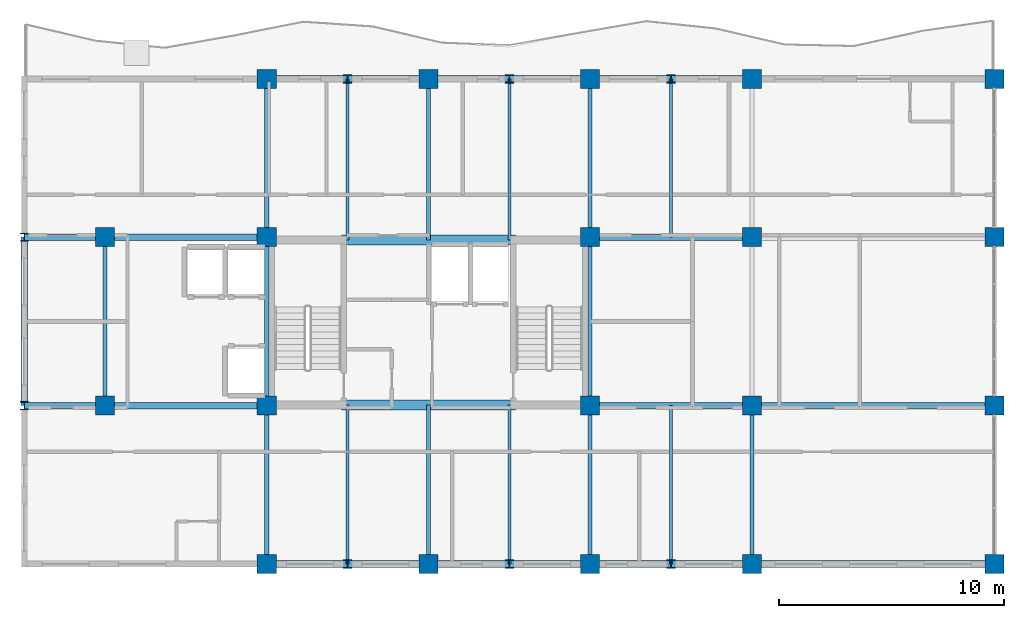
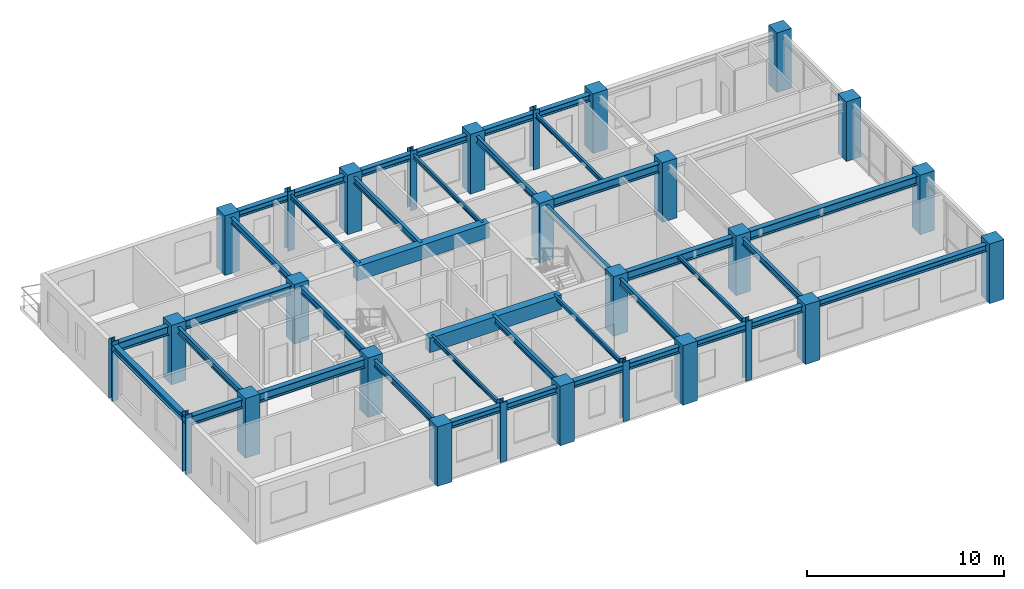
# One storey, part 1 of 11: 39 beams, 28 columns.
"""IFC4 building model written with IfcOpenShell, lengths in metres."""

from ifc_helpers import new_model, si_unit, direction, frame, origin, origin_2d, place, context, subcontext, project, spatial, rectangle, i_section, extrude, source, transform, mapped, material, material_profile, profile_set, type_object, element, save


model = new_model("IFC4")

# Units and contexts
model_context = context("Model", 3, precision=1e-05, world=origin(), true_north=direction((0.0, 1.0)))
body_context = subcontext(model_context, "Body", "Model", "MODEL_VIEW")
ifc_project = project(units=[si_unit("LENGTHUNIT", "METRE"), si_unit("AREAUNIT", "SQUARE_METRE"), si_unit("VOLUMEUNIT", "CUBIC_METRE"), si_unit("PLANEANGLEUNIT", "RADIAN"), si_unit("MASSUNIT", "GRAM", prefix="KILO")], contexts=[model_context])

# Site, building, storey
site_placement = place(None, origin())
site = spatial("IfcSite", under=ifc_project, at=site_placement, CompositionType="ELEMENT")
building_placement = place(site_placement, origin())
building = spatial("IfcBuilding", under=site, at=building_placement, Name="Kaliganga Portal Commons", CompositionType="ELEMENT")
storey_placement = place(building_placement, frame((0.0, 0.0, 253.60009765625)))
storey = spatial("IfcBuildingStorey", under=building, at=storey_placement, Name="L65", CompositionType="ELEMENT", Elevation=253.60009765625)

# Columns
ifc_material_1 = material(Name="Concrete C50/60", Category="concrete")
ifc_material_profile_1 = material_profile(ifc_material_1, rectangle(XDim=0.85009765625, YDim=0.85009765625, at=origin_2d()), Name="RC 850x850")
ifc_profile_set_1 = profile_set([ifc_material_profile_1], Name="Concrete C50/60")
column_type_1 = type_object("IfcColumnType", Name="COL-MEGA-Z5", PredefinedType="COLUMN", material=ifc_profile_set_1)
shared_shape_1 = source(origin(), body_context, "Body", "SweptSolid", [
    extrude(rectangle(XDim=0.85009765625, YDim=0.85009765625, at=origin_2d()), origin(), (0.0, 0.0, 1.0), 3.699951171875),
])
for number, where, z_axis, x_axis, name in (
    (1, (7.199951171875, 28.64990234375, 0.0), (0.0, 0.0, 1.0), (1.0, 0.0, 0.0), "Column MC-06 L65"),
    (2, (7.199951171875, 36.14990234375, 0.0), (0.0, 0.0, 1.0), (1.0, 0.0, 0.0), "Column MC-06 L65"),
    (3, (14.39990234375, 21.60009765625, 0.0), (0.0, 0.0, 1.0), (1.0, 0.0, 0.0), "Column MC-06 L65"),
    (4, (14.39990234375, 28.64990234375, 0.0), (0.0, 0.0, 1.0), (1.0, 0.0, 0.0), "Column MC-06 L65"),
    (5, (14.39990234375, 36.14990234375, 0.0), (0.0, 0.0, 1.0), (1.0, 0.0, 0.0), "Column MC-06 L65"),
    (6, (14.39990234375, 43.199951171875, 0.0), (0.0, 0.0, 1.0), (1.0, 0.0, 0.0), "Column MC-06 L65"),
    (7, (21.60009765625, 21.60009765625, 0.0), (0.0, 0.0, 1.0), (1.0, 0.0, 0.0), "Column MC-06 L65"),
    (8, (21.60009765625, 43.199951171875, 0.0), (0.0, 0.0, 1.0), (1.0, 0.0, 0.0), "Column MC-06 L65"),
    (9, (28.800048828125, 21.60009765625, 0.0), (0.0, 0.0, 1.0), (1.0, 0.0, 0.0), "Column MC-06 L65"),
    (10, (28.800048828125, 28.64990234375, 0.0), (0.0, 0.0, 1.0), (1.0, 0.0, 0.0), "Column MC-06 L65"),
    (11, (28.800048828125, 36.14990234375, 0.0), (0.0, 0.0, 1.0), (1.0, 0.0, 0.0), "Column MC-06 L65"),
    (12, (28.800048828125, 43.199951171875, 0.0), (0.0, 0.0, 1.0), (1.0, 0.0, 0.0), "Column MC-06 L65"),
    (13, (36.0, 21.60009765625, 0.0), (0.0, 0.0, 1.0), (1.0, 0.0, 0.0), "Column MC-06 L65"),
    (14, (36.0, 43.199951171875, 0.0), (0.0, 0.0, 1.0), (1.0, 0.0, 0.0), "Column MC-06 L65"),
    (15, (36.0, 28.64990234375, 0.0), (0.0, 0.0, 1.0), (1.0, 0.0, 0.0), "Column MC-06 L65"),
    (16, (36.0, 36.14990234375, 0.0), (0.0, 0.0, 1.0), (1.0, 0.0, 0.0), "Column MC-06 L65"),
    (17, (46.800048828125, 21.60009765625, 0.0), (0.0, 0.0, 1.0), (1.0, 0.0, 0.0), "Column MC-06 L65"),
    (18, (46.800048828125, 28.64990234375, 0.0), (0.0, 0.0, 1.0), (1.0, 0.0, 0.0), "Column MC-06 L65"),
    (19, (46.800048828125, 36.14990234375, 0.0), (0.0, 0.0, 1.0), (1.0, 0.0, 0.0), "Column MC-06 L65"),
    (20, (46.800048828125, 43.199951171875, 0.0), (0.0, 0.0, 1.0), (1.0, 0.0, 0.0), "Column MC-06 L65"),
):
    element("IfcColumn", number, at=place(storey_placement, frame(where, z_axis=z_axis, x_axis=x_axis)), inside=storey, type_object=column_type_1, Name=name, PredefinedType="COLUMN", context=body_context, shape_type="MappedRepresentation", body=[
        mapped(shared_shape_1, transform((0.0, 0.0, 0.0), x_axis=(1.0, 0.0, 0.0), y_axis=(0.0, 1.0, 0.0), z_axis=(0.0, 0.0, 1.0), scale=1.0)),
    ])
ifc_material_2 = material(Name="Structural steel S355J2", Category="steel")
ifc_material_profile_2 = material_profile(ifc_material_2, i_section(OverallWidth=0.3740234375, OverallDepth=0.3720703125, WebThickness=0.014892578125, FlangeThickness=0.02587890625, FilletRadius=0.014892578125, at=origin_2d()), Name="HD 360x196")
ifc_profile_set_2 = profile_set([ifc_material_profile_2], Name="Structural steel S355J2 wide-flange")
column_type_2 = type_object("IfcColumnType", Name="COL-TUBE-B5", PredefinedType="COLUMN", material=ifc_profile_set_2)
shared_shape_2 = source(origin(), body_context, "Body", "SweptSolid", [
    extrude(i_section(OverallWidth=0.3740234375, OverallDepth=0.3720703125, WebThickness=0.014892578125, FlangeThickness=0.02587890625, FilletRadius=0.014892578125, at=origin_2d()), origin(), (0.0, 0.0, 1.0), 3.699951171875),
])
for number, where, z_axis, x_axis, name in (
    (21, (3.60009765625, 28.64990234375, 0.0), (0.0, 0.0, 1.0), (1.0, 0.0, 0.0), "Column TC-05 L65"),
    (22, (3.60009765625, 36.14990234375, 0.0), (0.0, 0.0, 1.0), (1.0, 0.0, 0.0), "Column TC-05 L65"),
    (23, (18.0, 21.60009765625, 0.0), (0.0, 0.0, 1.0), (1.0, 0.0, 0.0), "Column TC-05 L65"),
    (24, (18.0, 43.199951171875, 0.0), (0.0, 0.0, 1.0), (1.0, 0.0, 0.0), "Column TC-05 L65"),
    (25, (25.199951171875, 21.60009765625, 0.0), (0.0, 0.0, 1.0), (1.0, 0.0, 0.0), "Column TC-05 L65"),
    (26, (25.199951171875, 43.199951171875, 0.0), (0.0, 0.0, 1.0), (1.0, 0.0, 0.0), "Column TC-05 L65"),
    (27, (32.39990234375, 21.60009765625, 0.0), (0.0, 0.0, 1.0), (1.0, 0.0, 0.0), "Column TC-05 L65"),
    (28, (32.39990234375, 43.199951171875, 0.0), (0.0, 0.0, 1.0), (1.0, 0.0, 0.0), "Column TC-05 L65"),
):
    element("IfcColumn", number, at=place(storey_placement, frame(where, z_axis=z_axis, x_axis=x_axis)), inside=storey, type_object=column_type_2, Name=name, PredefinedType="COLUMN", context=body_context, shape_type="MappedRepresentation", body=[
        mapped(shared_shape_2, transform((0.0, 0.0, 0.0), x_axis=(1.0, 0.0, 0.0), y_axis=(0.0, 1.0, 0.0), z_axis=(0.0, 0.0, 1.0), scale=1.0)),
    ])

# Beams
ifc_material_profile_3 = material_profile(ifc_material_1, rectangle(XDim=0.449951171875, YDim=0.89990234375, at=origin_2d()), Name="RC 450x900")
ifc_profile_set_3 = profile_set([ifc_material_profile_3], Name="Concrete C50/60")
beam_type_1 = type_object("IfcBeamType", Name="BM-CPL-900", PredefinedType="LINTEL", material=ifc_profile_set_3)
shared_shape_3 = source(origin(), body_context, "Body", "SweptSolid", [
    extrude(rectangle(XDim=0.449951171875, YDim=0.89990234375, at=origin_2d()), origin(), (0.0, 0.0, 1.0), 7.739990234375),
])
for number, where, z_axis, x_axis, name in (
    (29, (17.72998046875, 28.675048828125, 3.02490234375), (1.0, 0.0, 0.0), (0.0, 1.0, 0.0), "BM CPL COREA L65 S"),
    (30, (17.72998046875, 36.02490234375, 3.02490234375), (1.0, 0.0, 0.0), (0.0, 1.0, 0.0), "BM CPL COREA L65 N"),
):
    element("IfcBeam", number, at=place(storey_placement, frame(where, z_axis=z_axis, x_axis=x_axis)), inside=storey, type_object=beam_type_1, Name=name, PredefinedType="LINTEL", context=body_context, shape_type="MappedRepresentation", body=[
        mapped(shared_shape_3, transform((0.0, 0.0, 0.0), x_axis=(1.0, 0.0, 0.0), y_axis=(0.0, 1.0, 0.0), z_axis=(0.0, 0.0, 1.0), scale=1.0)),
    ])
ifc_material_profile_4 = material_profile(ifc_material_2, i_section(OverallWidth=0.300048828125, OverallDepth=0.39990234375, WebThickness=0.013427734375, FlangeThickness=0.02392578125, FilletRadius=0.027099609375, at=origin_2d()), Name="HE 400 B")
ifc_profile_set_4 = profile_set([ifc_material_profile_4], Name="Structural steel S355J2 wide-flange")
beam_type_2 = type_object("IfcBeamType", Name="BM-SPAND-400", PredefinedType="SPANDREL", material=ifc_profile_set_4)
shared_shape_4 = source(origin(), body_context, "Body", "SweptSolid", [
    extrude(i_section(OverallWidth=0.300048828125, OverallDepth=0.39990234375, WebThickness=0.013427734375, FlangeThickness=0.02392578125, FilletRadius=0.027099609375, at=origin_2d()), origin(), (0.0, 0.0, 1.0), 3.60009765625),
])
for number, where, z_axis, x_axis, name in (
    (31, (14.39990234375, 43.199951171875, 3.27490234375), (1.0, 0.0, 0.0), (0.0, 1.0, 0.0), "BM SP L65 AN 1"),
    (32, (18.0, 43.199951171875, 3.27490234375), (1.0, 0.0, 0.0), (0.0, 1.0, 0.0), "BM SP L65 AN 2"),
    (33, (25.199951171875, 43.199951171875, 3.27490234375), (1.0, 0.0, 0.0), (0.0, 1.0, 0.0), "BM SP L65 AN 4"),
    (34, (32.39990234375, 43.199951171875, 3.27490234375), (1.0, 0.0, 0.0), (0.0, 1.0, 0.0), "BM SP L65 AN 6"),
    (35, (14.39990234375, 21.60009765625, 3.27490234375), (1.0, 0.0, 0.0), (0.0, 1.0, 0.0), "BM SP L65 AS 1"),
    (36, (18.0, 21.60009765625, 3.27490234375), (1.0, 0.0, 0.0), (0.0, 1.0, 0.0), "BM SP L65 AS 2"),
    (37, (25.199951171875, 21.60009765625, 3.27490234375), (1.0, 0.0, 0.0), (0.0, 1.0, 0.0), "BM SP L65 AS 4"),
    (38, (32.39990234375, 21.60009765625, 3.27490234375), (1.0, 0.0, 0.0), (0.0, 1.0, 0.0), "BM SP L65 AS 6"),
):
    element("IfcBeam", number, at=place(storey_placement, frame(where, z_axis=z_axis, x_axis=x_axis)), inside=storey, type_object=beam_type_2, Name=name, PredefinedType="SPANDREL", context=body_context, shape_type="MappedRepresentation", body=[
        mapped(shared_shape_4, transform((0.0, 0.0, 0.0), x_axis=(1.0, 0.0, 0.0), y_axis=(0.0, 1.0, 0.0), z_axis=(0.0, 0.0, 1.0), scale=1.0)),
    ])
shared_shape_5 = source(origin(), body_context, "Body", "SweptSolid", [
    extrude(i_section(OverallWidth=0.300048828125, OverallDepth=0.39990234375, WebThickness=0.013427734375, FlangeThickness=0.02392578125, FilletRadius=0.027099609375, at=origin_2d()), origin(), (0.0, 0.0, 1.0), 3.599853515625),
])
for number, where, z_axis, x_axis, name in (
    (39, (21.60009765625, 43.199951171875, 3.27490234375), (1.0, 0.0, 0.0), (0.0, 1.0, 0.0), "BM SP L65 AN 3"),
    (40, (28.800048828125, 43.199951171875, 3.27490234375), (1.0, 0.0, 0.0), (0.0, 1.0, 0.0), "BM SP L65 AN 5"),
    (41, (21.60009765625, 21.60009765625, 3.27490234375), (1.0, 0.0, 0.0), (0.0, 1.0, 0.0), "BM SP L65 AS 3"),
    (42, (28.800048828125, 21.60009765625, 3.27490234375), (1.0, 0.0, 0.0), (0.0, 1.0, 0.0), "BM SP L65 AS 5"),
):
    element("IfcBeam", number, at=place(storey_placement, frame(where, z_axis=z_axis, x_axis=x_axis)), inside=storey, type_object=beam_type_2, Name=name, PredefinedType="SPANDREL", context=body_context, shape_type="MappedRepresentation", body=[
        mapped(shared_shape_5, transform((0.0, 0.0, 0.0), x_axis=(1.0, 0.0, 0.0), y_axis=(0.0, 1.0, 0.0), z_axis=(0.0, 0.0, 1.0), scale=1.0)),
    ])
shared_shape_6 = source(origin(), body_context, "Body", "SweptSolid", [
    extrude(i_section(OverallWidth=0.300048828125, OverallDepth=0.39990234375, WebThickness=0.013427734375, FlangeThickness=0.02392578125, FilletRadius=0.027099609375, at=origin_2d()), origin(), (0.0, 0.0, 1.0), 10.800048828125),
])
beam_1_placement = place(storey_placement, frame((36.0, 21.60009765625, 3.27490234375), z_axis=(1.0, 0.0, 0.0), x_axis=(0.0, 1.0, 0.0)))
element("IfcBeam", 43, at=beam_1_placement, inside=storey, type_object=beam_type_2, Name="BM SP L65 AS 7", PredefinedType="SPANDREL", context=body_context, shape_type="MappedRepresentation", body=[
    mapped(shared_shape_6, transform((0.0, 0.0, 0.0), x_axis=(1.0, 0.0, 0.0), y_axis=(0.0, 1.0, 0.0), z_axis=(0.0, 0.0, 1.0), scale=1.0)),
])
ifc_material_profile_5 = material_profile(ifc_material_2, i_section(OverallWidth=0.300048828125, OverallDepth=0.550048828125, WebThickness=0.014892578125, FlangeThickness=0.029052734375, FilletRadius=0.027099609375, at=origin_2d()), Name="HE 550 B")
ifc_profile_set_5 = profile_set([ifc_material_profile_5], Name="Structural steel S355J2 wide-flange")
beam_type_3 = type_object("IfcBeamType", Name="BM-GIRD-550", PredefinedType="USERDEFINED", material=ifc_profile_set_5)
shared_shape_7 = source(origin(), body_context, "Body", "SweptSolid", [
    extrude(i_section(OverallWidth=0.300048828125, OverallDepth=0.550048828125, WebThickness=0.014892578125, FlangeThickness=0.029052734375, FilletRadius=0.027099609375, at=origin_2d()), origin(), (0.0, 0.0, 1.0), 7.199951171875),
])
for number, where, z_axis, x_axis, name in (
    (44, (7.199951171875, 28.64990234375, 3.199951171875), (1.0, 0.0, 0.0), (0.0, 1.0, 0.0), "BM G L65 WAH_S 2"),
    (45, (7.199951171875, 36.14990234375, 3.199951171875), (1.0, 0.0, 0.0), (0.0, 1.0, 0.0), "BM G L65 WAH_N 2"),
    (46, (28.800048828125, 28.64990234375, 3.199951171875), (1.0, 0.0, 0.0), (0.0, 1.0, 0.0), "BM G L65 WAE_S 1"),
    (47, (28.800048828125, 36.14990234375, 3.199951171875), (1.0, 0.0, 0.0), (0.0, 1.0, 0.0), "BM G L65 WAE_N 1"),
):
    element("IfcBeam", number, at=place(storey_placement, frame(where, z_axis=z_axis, x_axis=x_axis)), inside=storey, type_object=beam_type_3, Name=name, ObjectType="GIRDER", PredefinedType="USERDEFINED", context=body_context, shape_type="MappedRepresentation", body=[
        mapped(shared_shape_7, transform((0.0, 0.0, 0.0), x_axis=(1.0, 0.0, 0.0), y_axis=(0.0, 1.0, 0.0), z_axis=(0.0, 0.0, 1.0), scale=1.0)),
    ])
shared_shape_8 = source(origin(), body_context, "Body", "SweptSolid", [
    extrude(i_section(OverallWidth=0.300048828125, OverallDepth=0.550048828125, WebThickness=0.014892578125, FlangeThickness=0.029052734375, FilletRadius=0.027099609375, at=origin_2d()), origin(), (0.0, 0.0, 1.0), 10.800048828125),
])
beam_2_placement = place(storey_placement, frame((36.0, 28.64990234375, 3.199951171875), z_axis=(1.0, 0.0, 0.0), x_axis=(0.0, 1.0, 0.0)))
element("IfcBeam", 48, at=beam_2_placement, inside=storey, type_object=beam_type_3, Name="BM G L65 WAE_S 2", ObjectType="GIRDER", PredefinedType="USERDEFINED", context=body_context, shape_type="MappedRepresentation", body=[
    mapped(shared_shape_8, transform((0.0, 0.0, 0.0), x_axis=(1.0, 0.0, 0.0), y_axis=(0.0, 1.0, 0.0), z_axis=(0.0, 0.0, 1.0), scale=1.0)),
])
shared_shape_9 = source(origin(), body_context, "Body", "SweptSolid", [
    extrude(i_section(OverallWidth=0.300048828125, OverallDepth=0.550048828125, WebThickness=0.014892578125, FlangeThickness=0.029052734375, FilletRadius=0.027099609375, at=origin_2d()), origin(), (0.0, 0.0, 1.0), 3.599853515625),
])
for number, where, z_axis, x_axis, name in (
    (49, (3.60009765625, 28.64990234375, 3.199951171875), (1.0, 0.0, 0.0), (0.0, 1.0, 0.0), "BM G L65 WAH_S 1"),
    (50, (3.60009765625, 36.14990234375, 3.199951171875), (1.0, 0.0, 0.0), (0.0, 1.0, 0.0), "BM G L65 WAH_N 1"),
):
    element("IfcBeam", number, at=place(storey_placement, frame(where, z_axis=z_axis, x_axis=x_axis)), inside=storey, type_object=beam_type_3, Name=name, ObjectType="GIRDER", PredefinedType="USERDEFINED", context=body_context, shape_type="MappedRepresentation", body=[
        mapped(shared_shape_9, transform((0.0, 0.0, 0.0), x_axis=(1.0, 0.0, 0.0), y_axis=(0.0, 1.0, 0.0), z_axis=(0.0, 0.0, 1.0), scale=1.0)),
    ])
shared_shape_10 = source(origin(), body_context, "Body", "SweptSolid", [
    extrude(i_section(OverallWidth=0.300048828125, OverallDepth=0.39990234375, WebThickness=0.013427734375, FlangeThickness=0.02392578125, FilletRadius=0.027099609375, at=origin_2d()), origin(), (0.0, 0.0, 1.0), 7.5),
])
beam_3_placement = place(storey_placement, frame((3.60009765625, 28.64990234375, 3.27490234375), z_axis=(0.0, 1.0, 0.0), x_axis=(-1.0, 0.0, 0.0)))
element("IfcBeam", 51, at=beam_3_placement, inside=storey, type_object=beam_type_2, Name="BM SP L65 AW", PredefinedType="SPANDREL", context=body_context, shape_type="MappedRepresentation", body=[
    mapped(shared_shape_10, transform((0.0, 0.0, 0.0), x_axis=(1.0, 0.0, 0.0), y_axis=(0.0, 1.0, 0.0), z_axis=(0.0, 0.0, 1.0), scale=1.0)),
])
ifc_material_profile_6 = material_profile(ifc_material_2, i_section(OverallWidth=0.135009765625, OverallDepth=0.27001953125, WebThickness=0.006591796875, FlangeThickness=0.01025390625, FilletRadius=0.014892578125, at=origin_2d()), Name="IPE 270")
ifc_profile_set_6 = profile_set([ifc_material_profile_6], Name="Structural steel S355J2 wide-flange")
beam_type_4 = type_object("IfcBeamType", Name="BM-JST-270", PredefinedType="JOIST", material=ifc_profile_set_6)
shared_shape_11 = source(origin(), body_context, "Body", "SweptSolid", [
    extrude(i_section(OverallWidth=0.135009765625, OverallDepth=0.27001953125, WebThickness=0.006591796875, FlangeThickness=0.01025390625, FilletRadius=0.014892578125, at=origin_2d()), origin(), (0.0, 0.0, 1.0), 7.175048828125),
])
for number, where, z_axis, x_axis, name in (
    (52, (18.0, 36.02490234375, 3.33984375), (0.0, 1.0, 0.0), (-1.0, 0.0, 0.0), "BM G L65 AN180"),
    (53, (25.199951171875, 36.02490234375, 3.33984375), (0.0, 1.0, 0.0), (-1.0, 0.0, 0.0), "BM G L65 AN252"),
):
    element("IfcBeam", number, at=place(storey_placement, frame(where, z_axis=z_axis, x_axis=x_axis)), inside=storey, type_object=beam_type_4, Name=name, PredefinedType="JOIST", context=body_context, shape_type="MappedRepresentation", body=[
        mapped(shared_shape_11, transform((0.0, 0.0, 0.0), x_axis=(1.0, 0.0, 0.0), y_axis=(0.0, 1.0, 0.0), z_axis=(0.0, 0.0, 1.0), scale=1.0)),
    ])
shared_shape_12 = source(origin(), body_context, "Body", "SweptSolid", [
    extrude(i_section(OverallWidth=0.135009765625, OverallDepth=0.27001953125, WebThickness=0.006591796875, FlangeThickness=0.01025390625, FilletRadius=0.014892578125, at=origin_2d()), origin(), (0.0, 0.0, 1.0), 7.074951171875),
])
for number, where, z_axis, x_axis, name in (
    (54, (18.0, 21.60009765625, 3.33984375), (0.0, 1.0, 0.0), (-1.0, 0.0, 0.0), "BM G L65 AS180"),
    (55, (25.199951171875, 21.60009765625, 3.33984375), (0.0, 1.0, 0.0), (-1.0, 0.0, 0.0), "BM G L65 AS252"),
):
    element("IfcBeam", number, at=place(storey_placement, frame(where, z_axis=z_axis, x_axis=x_axis)), inside=storey, type_object=beam_type_4, Name=name, PredefinedType="JOIST", context=body_context, shape_type="MappedRepresentation", body=[
        mapped(shared_shape_12, transform((0.0, 0.0, 0.0), x_axis=(1.0, 0.0, 0.0), y_axis=(0.0, 1.0, 0.0), z_axis=(0.0, 0.0, 1.0), scale=1.0)),
    ])
shared_shape_13 = source(origin(), body_context, "Body", "SweptSolid", [
    extrude(i_section(OverallWidth=0.135009765625, OverallDepth=0.27001953125, WebThickness=0.006591796875, FlangeThickness=0.01025390625, FilletRadius=0.014892578125, at=origin_2d()), origin(), (0.0, 0.0, 1.0), 7.050048828125),
])
beam_4_placement = place(storey_placement, frame((32.39990234375, 36.14990234375, 3.33984375), z_axis=(0.0, 1.0, 0.0), x_axis=(-1.0, 0.0, 0.0)))
element("IfcBeam", 56, at=beam_4_placement, inside=storey, type_object=beam_type_4, Name="BM G L65 AN324", PredefinedType="JOIST", context=body_context, shape_type="MappedRepresentation", body=[
    mapped(shared_shape_13, transform((0.0, 0.0, 0.0), x_axis=(1.0, 0.0, 0.0), y_axis=(0.0, 1.0, 0.0), z_axis=(0.0, 0.0, 1.0), scale=1.0)),
])
shared_shape_14 = source(origin(), body_context, "Body", "SweptSolid", [
    extrude(i_section(OverallWidth=0.135009765625, OverallDepth=0.27001953125, WebThickness=0.006591796875, FlangeThickness=0.01025390625, FilletRadius=0.014892578125, at=origin_2d()), origin(), (0.0, 0.0, 1.0), 7.0498046875),
])
beam_5_placement = place(storey_placement, frame((32.39990234375, 21.60009765625, 3.33984375), z_axis=(0.0, 1.0, 0.0), x_axis=(-1.0, 0.0, 0.0)))
element("IfcBeam", 57, at=beam_5_placement, inside=storey, type_object=beam_type_4, Name="BM G L65 AS324", PredefinedType="JOIST", context=body_context, shape_type="MappedRepresentation", body=[
    mapped(shared_shape_14, transform((0.0, 0.0, 0.0), x_axis=(1.0, 0.0, 0.0), y_axis=(0.0, 1.0, 0.0), z_axis=(0.0, 0.0, 1.0), scale=1.0)),
])
ifc_material_profile_7 = material_profile(ifc_material_2, i_section(OverallWidth=0.179931640625, OverallDepth=0.39990234375, WebThickness=0.008544921875, FlangeThickness=0.013427734375, FilletRadius=0.02099609375, at=origin_2d()), Name="IPE 400")
ifc_profile_set_7 = profile_set([ifc_material_profile_7], Name="Structural steel S355J2 wide-flange")
beam_type_5 = type_object("IfcBeamType", Name="BM-FLR-400", PredefinedType="BEAM", material=ifc_profile_set_7)
shared_shape_15 = source(origin(), body_context, "Body", "SweptSolid", [
    extrude(i_section(OverallWidth=0.179931640625, OverallDepth=0.39990234375, WebThickness=0.008544921875, FlangeThickness=0.013427734375, FilletRadius=0.02099609375, at=origin_2d()), origin(), (0.0, 0.0, 1.0), 7.5),
])
for number, where, z_axis, x_axis, name in (
    (58, (7.199951171875, 28.64990234375, 3.27490234375), (0.0, 1.0, 0.0), (-1.0, 0.0, 0.0), "BM G L65 AW72"),
    (59, (14.39990234375, 28.64990234375, 3.27490234375), (0.0, 1.0, 0.0), (-1.0, 0.0, 0.0), "BM G L65 AM144"),
    (60, (28.800048828125, 28.64990234375, 3.27490234375), (0.0, 1.0, 0.0), (-1.0, 0.0, 0.0), "BM G L65 AM288"),
):
    element("IfcBeam", number, at=place(storey_placement, frame(where, z_axis=z_axis, x_axis=x_axis)), inside=storey, type_object=beam_type_5, Name=name, PredefinedType="BEAM", context=body_context, shape_type="MappedRepresentation", body=[
        mapped(shared_shape_15, transform((0.0, 0.0, 0.0), x_axis=(1.0, 0.0, 0.0), y_axis=(0.0, 1.0, 0.0), z_axis=(0.0, 0.0, 1.0), scale=1.0)),
    ])
shared_shape_16 = source(origin(), body_context, "Body", "SweptSolid", [
    extrude(i_section(OverallWidth=0.179931640625, OverallDepth=0.39990234375, WebThickness=0.008544921875, FlangeThickness=0.013427734375, FilletRadius=0.02099609375, at=origin_2d()), origin(), (0.0, 0.0, 1.0), 7.050048828125),
])
for number, where, z_axis, x_axis, name in (
    (61, (14.39990234375, 36.14990234375, 3.27490234375), (0.0, 1.0, 0.0), (-1.0, 0.0, 0.0), "BM G L65 AN144"),
    (62, (28.800048828125, 36.14990234375, 3.27490234375), (0.0, 1.0, 0.0), (-1.0, 0.0, 0.0), "BM G L65 AN288"),
):
    element("IfcBeam", number, at=place(storey_placement, frame(where, z_axis=z_axis, x_axis=x_axis)), inside=storey, type_object=beam_type_5, Name=name, PredefinedType="BEAM", context=body_context, shape_type="MappedRepresentation", body=[
        mapped(shared_shape_16, transform((0.0, 0.0, 0.0), x_axis=(1.0, 0.0, 0.0), y_axis=(0.0, 1.0, 0.0), z_axis=(0.0, 0.0, 1.0), scale=1.0)),
    ])
shared_shape_17 = source(origin(), body_context, "Body", "SweptSolid", [
    extrude(i_section(OverallWidth=0.179931640625, OverallDepth=0.39990234375, WebThickness=0.008544921875, FlangeThickness=0.013427734375, FilletRadius=0.02099609375, at=origin_2d()), origin(), (0.0, 0.0, 1.0), 7.0498046875),
])
for number, where, z_axis, x_axis, name in (
    (63, (14.39990234375, 21.60009765625, 3.27490234375), (0.0, 1.0, 0.0), (-1.0, 0.0, 0.0), "BM G L65 AS144"),
    (64, (28.800048828125, 21.60009765625, 3.27490234375), (0.0, 1.0, 0.0), (-1.0, 0.0, 0.0), "BM G L65 AS288"),
    (65, (36.0, 21.60009765625, 3.27490234375), (0.0, 1.0, 0.0), (-1.0, 0.0, 0.0), "BM G L65 AS360"),
):
    element("IfcBeam", number, at=place(storey_placement, frame(where, z_axis=z_axis, x_axis=x_axis)), inside=storey, type_object=beam_type_5, Name=name, PredefinedType="BEAM", context=body_context, shape_type="MappedRepresentation", body=[
        mapped(shared_shape_17, transform((0.0, 0.0, 0.0), x_axis=(1.0, 0.0, 0.0), y_axis=(0.0, 1.0, 0.0), z_axis=(0.0, 0.0, 1.0), scale=1.0)),
    ])
shared_shape_18 = source(origin(), body_context, "Body", "SweptSolid", [
    extrude(i_section(OverallWidth=0.179931640625, OverallDepth=0.39990234375, WebThickness=0.008544921875, FlangeThickness=0.013427734375, FilletRadius=0.02099609375, at=origin_2d()), origin(), (0.0, 0.0, 1.0), 7.175048828125),
])
beam_6_placement = place(storey_placement, frame((21.60009765625, 36.02490234375, 3.27490234375), z_axis=(0.0, 1.0, 0.0), x_axis=(-1.0, 0.0, 0.0)))
element("IfcBeam", 66, at=beam_6_placement, inside=storey, type_object=beam_type_5, Name="BM G L65 AN216", PredefinedType="BEAM", context=body_context, shape_type="MappedRepresentation", body=[
    mapped(shared_shape_18, transform((0.0, 0.0, 0.0), x_axis=(1.0, 0.0, 0.0), y_axis=(0.0, 1.0, 0.0), z_axis=(0.0, 0.0, 1.0), scale=1.0)),
])
shared_shape_19 = source(origin(), body_context, "Body", "SweptSolid", [
    extrude(i_section(OverallWidth=0.179931640625, OverallDepth=0.39990234375, WebThickness=0.008544921875, FlangeThickness=0.013427734375, FilletRadius=0.02099609375, at=origin_2d()), origin(), (0.0, 0.0, 1.0), 7.074951171875),
])
beam_7_placement = place(storey_placement, frame((21.60009765625, 21.60009765625, 3.27490234375), z_axis=(0.0, 1.0, 0.0), x_axis=(-1.0, 0.0, 0.0)))
element("IfcBeam", 67, at=beam_7_placement, inside=storey, type_object=beam_type_5, Name="BM G L65 AS216", PredefinedType="BEAM", context=body_context, shape_type="MappedRepresentation", body=[
    mapped(shared_shape_19, transform((0.0, 0.0, 0.0), x_axis=(1.0, 0.0, 0.0), y_axis=(0.0, 1.0, 0.0), z_axis=(0.0, 0.0, 1.0), scale=1.0)),
])

save(model, "model.ifc")
